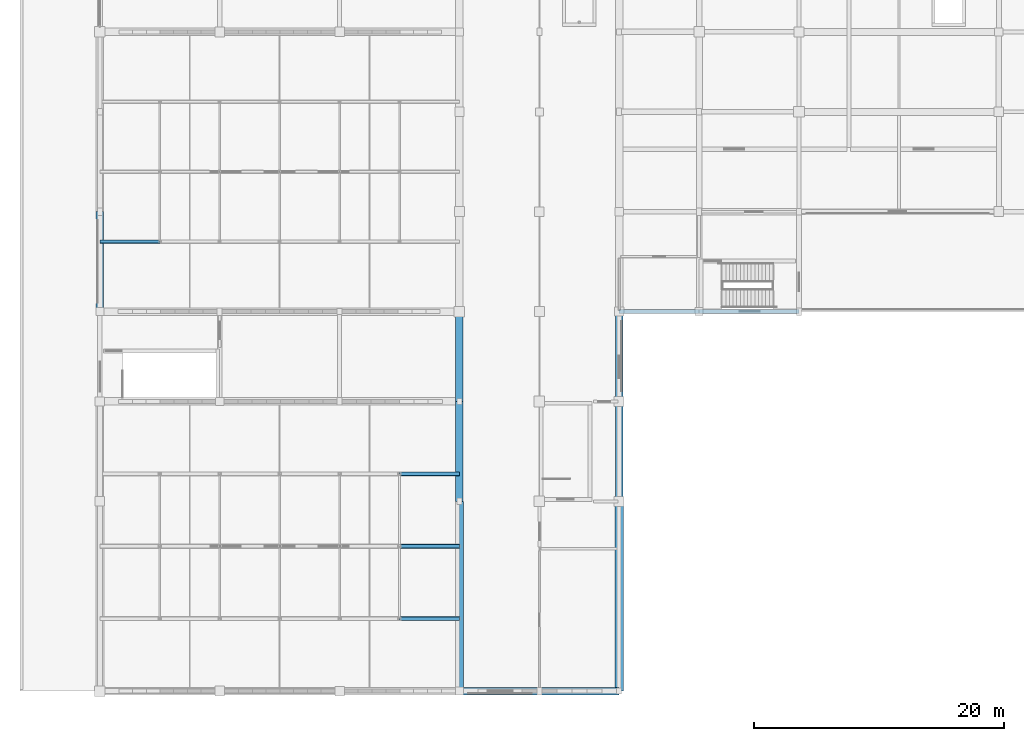
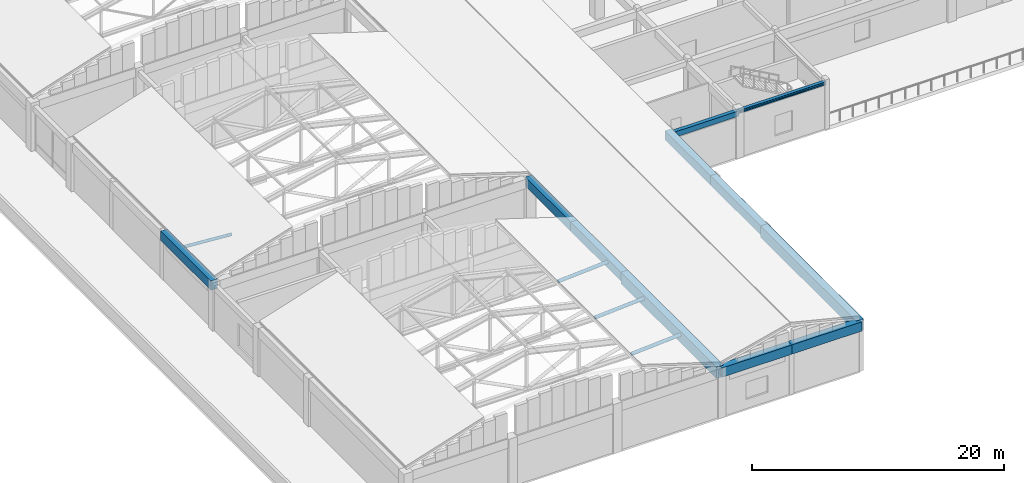
# One storey, part 5 of 61: 11 beams, 4 members.
"""IFC4 building model written with IfcOpenShell, lengths in metres."""

from ifc_helpers import new_model, si_unit, direction, frame, origin, origin_2d, place, context, subcontext, project, spatial, rectangle, hollow_circle, i_section, extrude, material, material_profile, profile_set, type_object, element, save


model = new_model("IFC4")

# Units and contexts
model_context = context("Model", 3, precision=1e-05, world=origin(), true_north=direction((0.0, 1.0)))
body_context = subcontext(model_context, "Body", "Model", "MODEL_VIEW")
ifc_project = project(units=[si_unit("LENGTHUNIT", "METRE"), si_unit("AREAUNIT", "SQUARE_METRE"), si_unit("VOLUMEUNIT", "CUBIC_METRE"), si_unit("PLANEANGLEUNIT", "RADIAN"), si_unit("MASSUNIT", "GRAM", prefix="KILO")], contexts=[model_context])

# Site, building, storey
site_placement = place(None, origin())
site = spatial("IfcSite", under=ifc_project, at=site_placement, CompositionType="ELEMENT")
building_placement = place(site_placement, origin())
building = spatial("IfcBuilding", under=site, at=building_placement, Name="Vellmiral Cinema and Media Centre", CompositionType="ELEMENT")
storey_placement = place(building_placement, frame((0.0, 0.0, 10.800048828125)))
storey = spatial("IfcBuildingStorey", under=building, at=storey_placement, Name="L02", CompositionType="ELEMENT", Elevation=10.800048828125)

# Beams
ifc_material_1 = material(Name="Concrete C40/50", Category="concrete")
ifc_material_profile_1 = material_profile(ifc_material_1, rectangle(XDim=0.60009765625, YDim=0.89990234375, at=origin_2d()), Name="RC 600x900")
ifc_profile_set_1 = profile_set([ifc_material_profile_1], Name="Concrete C40/50")
beam_type_1 = type_object("IfcBeamType", Name="RING-BM-600x900", PredefinedType="BEAM", material=ifc_profile_set_1)
for number, where, z_axis, x_axis, name in (
    (1, (35.199951171875, 28.0, 4.349853515625), (0.0, 1.0, 0.0), (-1.0, 0.0, 0.0), "Cinema Screen 1 Ring Beam 10"),
    (2, (6.39990234375, 43.199951171875, 4.349853515625), (0.0, 1.0, 0.0), (-1.0, 0.0, 0.0), "Cinema Screen 2 Ring Beam 07"),
):
    element("IfcBeam", number, at=place(storey_placement, frame(where, z_axis=z_axis, x_axis=x_axis)), inside=storey, type_object=beam_type_1, Name=name, PredefinedType="BEAM", context=body_context, shape_type="SweptSolid", body=[
        extrude(rectangle(XDim=0.60009765625, YDim=0.89990234375, at=origin_2d()), origin(), (0.0, 0.0, 1.0), 8.0),
    ])
beam_1_placement = place(storey_placement, frame((35.199951171875, 12.800048828125, 4.349853515625), z_axis=(1.0, 0.0, 0.0), x_axis=(0.0, 1.0, 0.0)))
element("IfcBeam", 3, at=beam_1_placement, inside=storey, type_object=beam_type_1, Name="West Premiere Concourse Gallery Vault Ring Beam 01", PredefinedType="BEAM", context=body_context, shape_type="SweptSolid", body=[
    extrude(rectangle(XDim=0.60009765625, YDim=0.89990234375, at=origin_2d()), origin(), (0.0, 0.0, 1.0), 6.400146484375),
])
beam_2_placement = place(storey_placement, frame((41.60009765625, 12.800048828125, 4.349853515625), z_axis=(1.0, 0.0, 0.0), x_axis=(0.0, 1.0, 0.0)))
element("IfcBeam", 4, at=beam_2_placement, inside=storey, type_object=beam_type_1, Name="West Premiere Concourse Gallery Vault Ring Beam 02", PredefinedType="BEAM", context=body_context, shape_type="SweptSolid", body=[
    extrude(rectangle(XDim=0.60009765625, YDim=0.89990234375, at=origin_2d()), origin(), (0.0, 0.0, 1.0), 6.39990234375),
])
beam_3_placement = place(storey_placement, frame((35.199951171875, 36.0, 4.349853515625), z_axis=(0.0, 1.0, 0.0), x_axis=(-1.0, 0.0, 0.0)))
element("IfcBeam", 5, at=beam_3_placement, inside=storey, type_object=beam_type_1, Name="West Premiere Concourse Gallery Vault Ring Beam 05", PredefinedType="BEAM", context=body_context, shape_type="SweptSolid", body=[
    extrude(rectangle(XDim=0.60009765625, YDim=0.89990234375, at=origin_2d()), origin(), (0.0, 0.0, 1.0), 7.199951171875),
])
beam_4_placement = place(storey_placement, frame((48.0, 28.0, 4.349853515625), z_axis=(0.0, 1.0, 0.0), x_axis=(-1.0, 0.0, 0.0)))
element("IfcBeam", 6, at=beam_4_placement, inside=storey, type_object=beam_type_1, Name="West Premiere Concourse Gallery Vault Ring Beam 08", PredefinedType="BEAM", context=body_context, shape_type="SweptSolid", body=[
    extrude(rectangle(XDim=0.60009765625, YDim=0.89990234375, at=origin_2d()), origin(), (0.0, 0.0, 1.0), 8.0),
])
beam_5_placement = place(storey_placement, frame((48.0, 36.0, 4.349853515625), z_axis=(0.0, 1.0, 0.0), x_axis=(-1.0, 0.0, 0.0)))
element("IfcBeam", 7, at=beam_5_placement, inside=storey, type_object=beam_type_1, Name="West Premiere Concourse Gallery Vault Ring Beam 09", PredefinedType="BEAM", context=body_context, shape_type="SweptSolid", body=[
    extrude(rectangle(XDim=0.60009765625, YDim=0.89990234375, at=origin_2d()), origin(), (0.0, 0.0, 1.0), 7.199951171875),
])
ifc_material_2 = material(Name="Concrete C40/50", Category="concrete")
ifc_material_profile_2 = material_profile(ifc_material_2, rectangle(XDim=0.64990234375, YDim=1.10009765625, at=origin_2d()), Name="RC 650x1100")
ifc_profile_set_2 = profile_set([ifc_material_profile_2], Name="Concrete C40/50")
beam_type_2 = type_object("IfcBeamType", Name="RING-BMG-650x1100", PredefinedType="BEAM", material=ifc_profile_set_2)
for number, where, z_axis, x_axis, name in (
    (8, (35.199951171875, 12.800048828125, 4.25), (0.0, 1.0, 0.0), (-1.0, 0.0, 0.0), "Cinema Screen 1 Ring Beam 09"),
    (9, (48.0, 12.800048828125, 4.25), (0.0, 1.0, 0.0), (-1.0, 0.0, 0.0), "West Premiere Concourse Gallery Vault Ring Beam 07"),
):
    element("IfcBeam", number, at=place(storey_placement, frame(where, z_axis=z_axis, x_axis=x_axis)), inside=storey, type_object=beam_type_2, Name=name, PredefinedType="BEAM", context=body_context, shape_type="SweptSolid", body=[
        extrude(rectangle(XDim=0.64990234375, YDim=1.10009765625, at=origin_2d()), origin(), (0.0, 0.0, 1.0), 15.199951171875),
    ])
ifc_material_3 = material(Name="Steel S355", Category="steel")
ifc_material_profile_3 = material_profile(ifc_material_3, i_section(OverallWidth=0.300048828125, OverallDepth=0.300048828125, WebThickness=0.010986328125, FlangeThickness=0.01904296875, FilletRadius=0.027099609375, at=origin_2d()), Name="HEB 300")
ifc_profile_set_3 = profile_set([ifc_material_profile_3], Name="Steel S355")
beam_type_3 = type_object("IfcBeamType", Name="SBM-HEB300", PredefinedType="SPANDREL", material=ifc_profile_set_3)
beam_6_placement = place(storey_placement, frame((54.39990234375, 43.199951171875, 4.344970703125), z_axis=(1.0, 0.0, 0.0), x_axis=(0.0, 1.0, 0.0)))
element("IfcBeam", 10, at=beam_6_placement, inside=storey, type_object=beam_type_3, Name="Grid Beam L02-X002", PredefinedType="SPANDREL", context=body_context, shape_type="SweptSolid", body=[
    extrude(i_section(OverallWidth=0.300048828125, OverallDepth=0.300048828125, WebThickness=0.010986328125, FlangeThickness=0.01904296875, FilletRadius=0.027099609375, at=origin_2d()), origin(), (0.0, 0.0, 1.0), 8.0),
])
ifc_material_4 = material(Name="Vosges Red Sandstone Masonry", Category="masonry")
ifc_material_profile_4 = material_profile(ifc_material_4, rectangle(XDim=0.340087890625, YDim=0.52001953125, at=origin_2d()), Name="SAND 340x520")
ifc_profile_set_4 = profile_set([ifc_material_profile_4], Name="Vosges Red Sandstone Masonry")
beam_type_4 = type_object("IfcBeamType", Name="SPD-SAND-340x520", PredefinedType="SPANDREL", material=ifc_profile_set_4)
beam_7_placement = place(storey_placement, frame((48.0, 43.199951171875, 4.23486328125), z_axis=(1.0, 0.0, 0.0), x_axis=(0.0, 1.0, 0.0)))
element("IfcBeam", 11, at=beam_7_placement, inside=storey, type_object=beam_type_4, Name="Grid Beam L02-X001", PredefinedType="SPANDREL", context=body_context, shape_type="SweptSolid", body=[
    extrude(rectangle(XDim=0.340087890625, YDim=0.52001953125, at=origin_2d()), origin(), (0.0, 0.0, 1.0), 6.39990234375),
])

# Members
ifc_material_5 = material(Name="Steel S355", Category="steel")
ifc_material_profile_5 = material_profile(ifc_material_5, hollow_circle(Radius=0.136474609375, WallThickness=0.012451171875, at=origin_2d()), Name="CHS 273.0x12.5")
ifc_profile_set_5 = profile_set([ifc_material_profile_5], Name="Steel S355")
member_type_1 = type_object("IfcMemberType", Name="TBR-CHS273", PredefinedType="BRACE", material=ifc_profile_set_5)
member_placement = place(storey_placement, frame((6.39990234375, 48.800048828125, 4.494873046875), z_axis=(0.997427444623, 0.0, -0.071683280568), x_axis=(0.0, 1.0, 0.0)))
element("IfcMember", 12, at=member_placement, inside=storey, type_object=member_type_1, Name="Roof Truss TR-02.1 Diagonal 1", PredefinedType="BRACE", context=body_context, shape_type="SweptSolid", body=[
    extrude(hollow_circle(Radius=0.136474609375, WallThickness=0.012451171875, at=origin_2d()), origin(), (0.0, 0.0, 1.0), 4.8125),
])
ifc_material_6 = material(Name="Steel S355", Category="steel")
ifc_material_profile_6 = material_profile(ifc_material_6, hollow_circle(Radius=0.161865234375, WallThickness=0.012451171875, at=origin_2d()), Name="CHS 323.9x12.5")
ifc_profile_set_6 = profile_set([ifc_material_profile_6], Name="Steel S355")
member_type_2 = type_object("IfcMemberType", Name="TBR-CHS324", PredefinedType="BRACE", material=ifc_profile_set_6)
for number, where, z_axis, x_axis, name in (
    (13, (30.39990234375, 18.60009765625, 4.14990234375), (0.997784259546, 0.0, 0.066532483814), (0.0, 1.0, 0.0), "Roof Truss TR-01.1 Diagonal 6"),
    (14, (30.39990234375, 24.39990234375, 4.14990234375), (0.997784259546, 0.0, 0.066532483814), (0.0, 1.0, 0.0), "Roof Truss TR-01.2 Diagonal 6"),
    (15, (30.39990234375, 30.199951171875, 4.14990234375), (0.997784259546, 0.0, 0.066532483814), (0.0, 1.0, 0.0), "Roof Truss TR-01.3 Diagonal 6"),
):
    element("IfcMember", number, at=place(storey_placement, frame(where, z_axis=z_axis, x_axis=x_axis)), inside=storey, type_object=member_type_2, Name=name, PredefinedType="BRACE", context=body_context, shape_type="SweptSolid", body=[
        extrude(hollow_circle(Radius=0.161865234375, WallThickness=0.012451171875, at=origin_2d()), origin(), (0.0, 0.0, 1.0), 4.810791015625),
    ])

save(model, "model.ifc")
